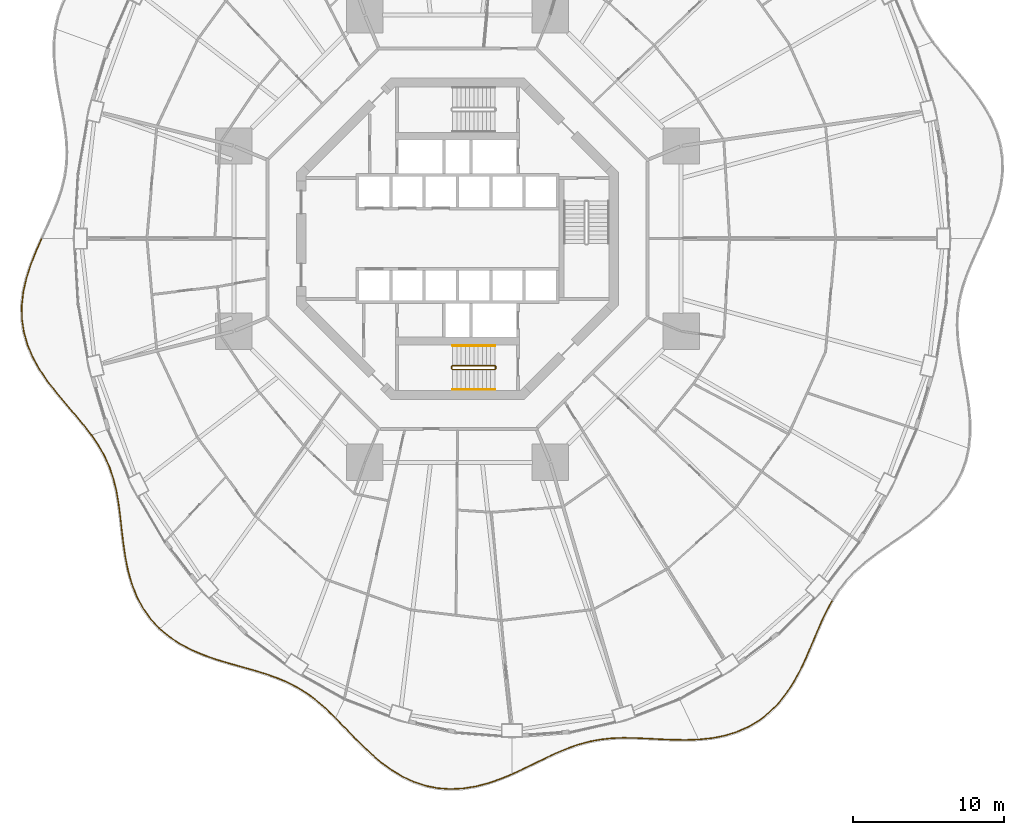
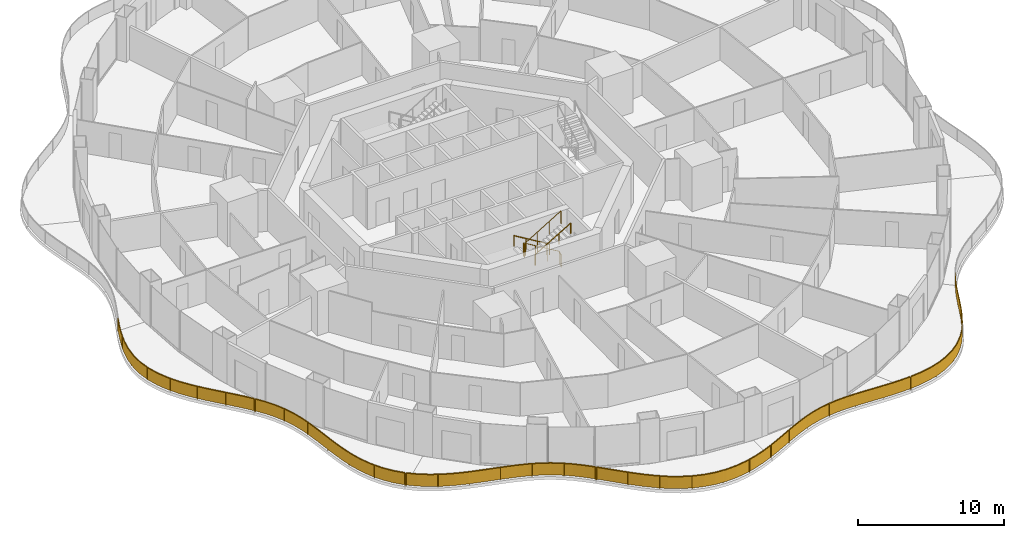
# One storey, part 20 of 22: 9 railings.
"""IFC4 building model written with IfcOpenShell, lengths in metres."""

import ifcopenshell
import ifcopenshell.guid

model = None  # the IFC model being written
_history = None  # IfcOwnerHistory: only IFC2X3 demands one
_inside = {}  # id of a spatial element -> (the spatial element, [elements in it])
_under = {}  # id of a project, library or spatial element -> (it, [spatial elements below it])
_declared = {}  # id of a project -> (the project, [libraries it declares])
_typed = {}  # id of a type object -> (the type object, [elements of that type])
_made_of = {}  # id of a material, layer set ... -> (it, [elements and type objects made of it])


def new_model(schema):
    """Start an empty IFC model of exactly this schema.

    Asked for "IFC4X3", IfcOpenShell would pick the latest addendum, in which some entities
    have other attributes; the version numbers below select the first issue.
    IFC2X3 requires an IfcOwnerHistory on every rooted entity: one is made here for all.
    """
    global model, _history
    if schema == "IFC4X3":
        model = ifcopenshell.file(schema_version=(4, 3, 0, 0))
    else:
        model = ifcopenshell.file(schema=schema)
    _inside.clear()
    _under.clear()
    _declared.clear()
    _typed.clear()
    _made_of.clear()
    _history = None
    if model.schema == "IFC2X3":
        org = make("IfcOrganization", Name="unknown")
        user = make(
            "IfcPersonAndOrganization",
            ThePerson=make("IfcPerson", FamilyName="unknown"),
            TheOrganization=org,
        )
        app = make(
            "IfcApplication",
            ApplicationDeveloper=org,
            Version="unknown",
            ApplicationFullName="unknown",
            ApplicationIdentifier="unknown",
        )
        _history = make(
            "IfcOwnerHistory",
            OwningUser=user,
            OwningApplication=app,
            ChangeAction="ADDED",
            CreationDate=0,
        )
    return model


def make(cls, **values):
    """One entity of the class cls with the attributes given. An attribute that is None is left unset."""
    return model.create_entity(
        cls, **{name: value for name, value in values.items() if value is not None}
    )


def rooted(cls, **values):
    """An entity with a GlobalId (a new one), such as an element, a storey or a relation."""
    return make(cls, GlobalId=ifcopenshell.guid.new(), OwnerHistory=_history, **values)


def si_unit(unit_type, name, prefix=None):
    """IfcSIUnit, for example si_unit("LENGTHUNIT", "METRE", prefix="MILLI")."""
    return make("IfcSIUnit", UnitType=unit_type, Prefix=prefix, Name=name)


def assignment(units):
    """IfcUnitAssignment: the units of a project."""
    return None if units is None else make("IfcUnitAssignment", Units=units)


def point(xyz):
    """IfcCartesianPoint."""
    return None if xyz is None else make("IfcCartesianPoint", Coordinates=xyz)


def direction(xyz):
    """IfcDirection."""
    return None if xyz is None else make("IfcDirection", DirectionRatios=xyz)


def frame(location, z_axis=None, x_axis=None):
    """IfcAxis2Placement3D, a coordinate frame: its origin and axes. An axis left out is left unset."""
    return make(
        "IfcAxis2Placement3D",
        Location=point(location),
        Axis=direction(z_axis),
        RefDirection=direction(x_axis),
    )


def frame_2d(location, x_axis=None):
    """IfcAxis2Placement2D, a coordinate frame in the plane: its origin and x axis."""
    return make(
        "IfcAxis2Placement2D", Location=point(location), RefDirection=direction(x_axis)
    )


def origin():
    """The frame at (0, 0, 0) with its axes left unset."""
    return frame((0.0, 0.0, 0.0))


def origin_2d():
    """The frame at (0, 0) in the plane with its x axis left unset."""
    return frame_2d((0.0, 0.0))


def place(relative_to, where):
    """IfcLocalPlacement: puts the frame where relative to a parent placement (None: the world)."""
    return make(
        "IfcLocalPlacement", PlacementRelTo=relative_to, RelativePlacement=where
    )


def context(
    kind, dimensions, precision=None, world=None, true_north=None, identifier=None
):
    """IfcGeometricRepresentationContext, for example the 3D "Model" context."""
    return make(
        "IfcGeometricRepresentationContext",
        ContextIdentifier=identifier,
        ContextType=kind,
        CoordinateSpaceDimension=dimensions,
        Precision=precision,
        WorldCoordinateSystem=world,
        TrueNorth=true_north,
    )


def subcontext(parent, identifier, kind, view, scale=None):
    """IfcGeometricRepresentationSubContext, for example "Body" below "Model"."""
    return make(
        "IfcGeometricRepresentationSubContext",
        ContextIdentifier=identifier,
        ContextType=kind,
        ParentContext=parent,
        TargetScale=scale,
        TargetView=view,
    )


def project(units=None, contexts=None):
    """IfcProject with its units and contexts."""
    return rooted(
        "IfcProject",
        Name="project",
        RepresentationContexts=contexts,
        UnitsInContext=assignment(units),
    )


def spatial(cls, under=None, at=None, **own):
    """A site, building, storey or space (cls), placed at a placement, below another one or the project."""
    s = rooted(cls, ObjectPlacement=at, **own)
    if under is not None:
        _under.setdefault(under.id(), (under, []))[1].append(s)
    return s


def polyline(points):
    """IfcPolyline through the points."""
    return make("IfcPolyline", Points=[point(p) for p in points])


def profile(cls, at=None, kind="AREA", **sizes):
    """A parametric profile (cls). Its sizes go by their IFC names, for example OverallWidth=200.0."""
    return make(cls, ProfileType=kind, Position=at, **sizes)


def rectangle(**sizes):
    """IfcRectangleProfileDef."""
    return profile("IfcRectangleProfileDef", **sizes)


def circle(**sizes):
    """IfcCircleProfileDef."""
    return profile("IfcCircleProfileDef", **sizes)


def outline(outer, holes=None, kind="AREA"):
    """IfcArbitraryClosedProfileDef: a profile drawn as a closed curve; with holes, ...WithVoids."""
    if holes is None:
        return make("IfcArbitraryClosedProfileDef", ProfileType=kind, OuterCurve=outer)
    return make(
        "IfcArbitraryProfileDefWithVoids",
        ProfileType=kind,
        OuterCurve=outer,
        InnerCurves=holes,
    )


def extrude(swept, where, along, depth):
    """IfcExtrudedAreaSolid: the profile swept, set in the frame where, extruded along a direction by depth."""
    return make(
        "IfcExtrudedAreaSolid",
        SweptArea=swept,
        Position=where,
        ExtrudedDirection=direction(along),
        Depth=depth,
    )


def shape(context_of_items, identifier, shape_type, items):
    """IfcShapeRepresentation: the items that make up one representation, for example the "Body"."""
    return make(
        "IfcShapeRepresentation",
        ContextOfItems=context_of_items,
        RepresentationIdentifier=identifier,
        RepresentationType=shape_type,
        Items=items,
    )


def material(Name=None, Category=None):
    """IfcMaterial."""
    return make("IfcMaterial", Name=Name, Category=Category)


def made_of(thing, what):
    """Note that an element or type object is made of a material, layer set ...; save() writes the relation."""
    if what is not None:
        _made_of.setdefault(what.id(), (what, []))[1].append(thing)
    return thing


def type_object(cls, material=None, **own):
    """A type object (cls), such as IfcWallType, which elements share."""
    return made_of(rooted(cls, **own), material)


def element(
    cls,
    number,
    at=None,
    inside=None,
    cuts=None,
    type_object=None,
    material=None,
    context=None,
    identifier="Body",
    shape_type=None,
    held_by="IfcProductDefinitionShape",
    body=None,
    shapes=None,
    **own,
):
    """One element of the class cls, such as IfcWall. Its Tag is "e" and its number.

    at: its placement. inside: the storey or other place that contains it. cuts: it is an
    opening in that element (IfcRelVoidsElement). A single representation is given by context,
    identifier, shape_type and body (its items); several are given by shapes. held_by: the class
    of the entity that holds the representations. save() writes the other relations.
    """
    e = rooted(cls, Tag="e%d" % number, ObjectPlacement=at, **own)
    if body is not None:
        shapes = [shape(context, identifier, shape_type, body)]
    if shapes is not None:
        e.Representation = make(held_by, Representations=shapes)
    if inside is not None:
        _inside.setdefault(inside.id(), (inside, []))[1].append(e)
    if cuts is not None:
        rooted(
            "IfcRelVoidsElement", RelatingBuildingElement=cuts, RelatedOpeningElement=e
        )
    if type_object is not None:
        _typed.setdefault(type_object.id(), (type_object, []))[1].append(e)
    return made_of(e, material)


def aggregate(whole, parts):
    """IfcRelAggregates: a whole, such as a stair, and the parts it consists of."""
    return rooted("IfcRelAggregates", RelatingObject=whole, RelatedObjects=parts)


def save(model, path):
    """Write the relations noted so far, then the file.

    IfcRelAggregates (storeys below a building ...), IfcRelContainedInSpatialStructure (elements
    in a storey), IfcRelDefinesByType, IfcRelAssociatesMaterial and IfcRelDeclares: one each for
    every whole, place, type object, material and project.
    """
    for whole, parts in _under.values():
        aggregate(whole, parts)
    for where, things in _inside.values():
        rooted(
            "IfcRelContainedInSpatialStructure",
            RelatedElements=things,
            RelatingStructure=where,
        )
    for kind, things in _typed.values():
        rooted("IfcRelDefinesByType", RelatedObjects=things, RelatingType=kind)
    for what, things in _made_of.values():
        rooted("IfcRelAssociatesMaterial", RelatedObjects=things, RelatingMaterial=what)
    for by, libraries in _declared.values():
        rooted("IfcRelDeclares", RelatingContext=by, RelatedDefinitions=libraries)
    model.write(path)


model = new_model("IFC4")

# Units and contexts
model_context = context("Model", 3, precision=1e-05, world=origin(), true_north=direction((0.0, 1.0)))
body_context = subcontext(model_context, "Body", "Model", "MODEL_VIEW")
ifc_project = project(units=[si_unit("LENGTHUNIT", "METRE"), si_unit("AREAUNIT", "SQUARE_METRE"), si_unit("VOLUMEUNIT", "CUBIC_METRE"), si_unit("PLANEANGLEUNIT", "RADIAN"), si_unit("MASSUNIT", "GRAM", prefix="KILO")], contexts=[model_context])

# Site, building, storey
site_placement = place(None, origin())
site = spatial("IfcSite", under=ifc_project, at=site_placement, CompositionType="ELEMENT")
building_placement = place(site_placement, origin())
building = spatial("IfcBuilding", under=site, at=building_placement, Name="Nagisa Residences", CompositionType="ELEMENT")
storey_placement = place(building_placement, frame((0.0, 0.0, 49.199951171875)))
storey = spatial("IfcBuildingStorey", under=building, at=storey_placement, Name="L11", CompositionType="ELEMENT", Elevation=49.199951171875)

# Railings
ifc_material_1 = material(Name="Stainless steel 316", Category="steel")
railing_type_1 = type_object("IfcRailingType", Name="BALCONY GUARD 1100", PredefinedType="BALUSTRADE", material=ifc_material_1)
railing_1_placement = place(storey_placement, frame((-27.4892578125, -0.03466796875, 0.0)))
element("IfcRailing", 1, at=railing_1_placement, inside=storey, type_object=railing_type_1, Name="guard:L11:bal08-0", PredefinedType="BALUSTRADE", context=body_context, shape_type="SweptSolid", body=[
    extrude(outline(polyline([(-0.33984375, -0.828857421875), (0.02294921875, -0.01025390625), (-0.02294921875, 0.01025390625), (-0.38623046875, -0.809326171875), (-0.731201171875, -1.68701171875), (-1.0166015625, -2.57763671875), (-1.2197265625, -3.4765625), (-1.32275390625, -4.37744140625), (-1.314208984375, -5.259033203125), (-1.185546875, -6.1416015625), (-0.939697265625, -7.003662109375), (-0.58447265625, -7.840087890625), (-0.13427734375, -8.647216796875), (0.387939453125, -9.41015625), (0.965087890625, -10.157470703125), (1.569091796875, -10.88037109375), (2.173828125, -11.584716796875), (2.755126953125, -12.279541015625), (3.267578125, -12.940185546875), (3.30712890625, -12.909423828125), (2.794189453125, -12.248291015625), (2.2119140625, -11.552490234375), (1.607177734375, -10.84814453125), (1.004150390625, -10.126220703125), (0.428466796875, -9.380859375), (-0.091796875, -8.620849609375), (-0.53955078125, -7.818115234375), (-0.892333984375, -6.987060546875), (-1.13671875, -6.130859375), (-1.264404296875, -5.255126953125), (-1.2724609375, -4.3798828125), (-1.17041015625, -3.48486328125), (-0.96826171875, -2.5908203125), (-0.683837890625, -1.70361328125), (-0.33984375, -0.828857421875)])), frame((0.0, 0.0, 1.050048828125)), (0.0, 0.0, 1.0), 0.050048828125),
    extrude(outline(polyline([(-0.356689453125, -0.82177734375), (0.00634765625, -0.0029296875), (-0.00634765625, 0.0029296875), (-0.369384765625, -0.81640625), (-0.714111328125, -1.69287109375), (-0.999267578125, -2.582275390625), (-1.201904296875, -3.4794921875), (-1.3046875, -4.37841796875), (-1.29638671875, -5.257568359375), (-1.16796875, -6.1376953125), (-0.922607421875, -6.997802734375), (-0.568359375, -7.832275390625), (-0.118896484375, -8.6376953125), (0.402587890625, -9.399658203125), (0.979248046875, -10.146240234375), (1.582763671875, -10.868896484375), (2.1875, -11.5732421875), (2.769287109375, -12.268310546875), (3.28173828125, -12.92919921875), (3.29296875, -12.92041015625), (2.780029296875, -12.259521484375), (2.1982421875, -11.56396484375), (1.593505859375, -10.859619140625), (0.989990234375, -10.137451171875), (0.413818359375, -9.391357421875), (-0.107177734375, -8.63037109375), (-0.5556640625, -7.825927734375), (-0.909423828125, -6.992919921875), (-1.154296875, -6.134765625), (-1.2822265625, -5.256591796875), (-1.29052734375, -4.37890625), (-1.188232421875, -3.48193359375), (-0.985595703125, -2.586181640625), (-0.700927734375, -1.69775390625), (-0.356689453125, -0.82177734375)])), frame((0.0, 0.0, 0.06005859375)), (0.0, 0.0, 1.0), 0.989990234375),
    extrude(rectangle(XDim=0.0400390625, YDim=0.0400390625, at=origin_2d()), origin(), (0.0, 0.0, 1.0), 1.050048828125),
    extrude(rectangle(XDim=0.0400390625, YDim=0.0400390625, at=origin_2d()), frame((-0.781494140625, -1.92626953125, 0.0)), (0.0, 0.0, 1.0), 1.050048828125),
    extrude(rectangle(XDim=0.0400390625, YDim=0.0400390625, at=origin_2d()), frame((-1.248291015625, -3.94775390625, 0.0)), (0.0, 0.0, 1.0), 1.050048828125),
    extrude(rectangle(XDim=0.0400390625, YDim=0.0400390625, at=origin_2d()), frame((-1.178466796875, -6.016845703125, 0.0)), (0.0, 0.0, 1.0), 1.050048828125),
    extrude(rectangle(XDim=0.0400390625, YDim=0.0400390625, at=origin_2d()), frame((-0.48388671875, -7.968994140625, 0.0)), (0.0, 0.0, 1.0), 1.050048828125),
    extrude(rectangle(XDim=0.0400390625, YDim=0.0400390625, at=origin_2d()), frame((0.650146484375, -9.708740234375, 0.0)), (0.0, 0.0, 1.0), 1.050048828125),
    extrude(rectangle(XDim=0.0400390625, YDim=0.0400390625, at=origin_2d()), frame((1.973388671875, -11.31298828125, 0.0)), (0.0, 0.0, 1.0), 1.050048828125),
    extrude(rectangle(XDim=0.0400390625, YDim=0.0400390625, at=origin_2d()), frame((3.287353515625, -12.9248046875, 0.0)), (0.0, 0.0, 1.0), 1.050048828125),
])
railing_2_placement = place(storey_placement, frame((-24.15771484375, -13.016845703125, 0.0)))
element("IfcRailing", 2, at=railing_2_placement, inside=storey, type_object=railing_type_1, Name="guard:L11:bal09-0", PredefinedType="BALUSTRADE", context=body_context, shape_type="SweptSolid", body=[
    extrude(outline(polyline([(0.461669921875, -0.63525390625), (0.020751953125, 0.01416015625), (-0.020751953125, -0.01416015625), (0.419189453125, -0.66162109375), (0.8154296875, -1.36279296875), (1.1416015625, -2.09033203125), (1.39892578125, -2.8505859375), (1.5947265625, -3.645751953125), (1.734375, -4.4638671875), (1.84765625, -5.32763671875), (1.947509765625, -6.2177734375), (2.054443359375, -7.1240234375), (2.18994140625, -8.0341796875), (2.364990234375, -8.922607421875), (2.6142578125, -9.798583984375), (2.942138671875, -10.635009765625), (3.358154296875, -11.41796875), (3.865966796875, -12.13623046875), (4.431640625, -12.745361328125), (4.46826171875, -12.711181640625), (3.905029296875, -12.1044921875), (3.400634765625, -11.3916015625), (2.987548828125, -10.614013671875), (2.66162109375, -9.782470703125), (2.413818359375, -8.910888671875), (2.2392578125, -8.02587890625), (2.104248046875, -7.1171875), (1.997314453125, -6.2119140625), (1.8974609375, -5.32177734375), (1.78369140625, -4.45654296875), (1.6435546875, -3.635498046875), (1.44677734375, -2.83642578125), (1.1884765625, -2.072265625), (0.8603515625, -1.34033203125), (0.461669921875, -0.63525390625)])), frame((0.0, 0.0, 1.050048828125)), (0.0, 0.0, 1.0), 0.050048828125),
    extrude(outline(polyline([(0.4462890625, -0.644775390625), (0.005859375, 0.00390625), (-0.005859375, -0.00390625), (0.4345703125, -0.652099609375), (0.83154296875, -1.354736328125), (1.158447265625, -2.083740234375), (1.416015625, -2.845458984375), (1.6123046875, -3.64208984375), (1.752197265625, -4.461181640625), (1.86572265625, -5.325439453125), (1.965576171875, -6.215576171875), (2.072509765625, -7.12158203125), (2.207763671875, -8.03125), (2.382568359375, -8.91845703125), (2.63134765625, -9.792724609375), (2.95849609375, -10.62744140625), (3.37353515625, -11.408447265625), (3.880126953125, -12.124755859375), (4.44482421875, -12.733154296875), (4.455078125, -12.723388671875), (3.890869140625, -12.115966796875), (3.38525390625, -11.401123046875), (2.97119140625, -10.62158203125), (2.64453125, -9.788330078125), (2.396240234375, -8.9150390625), (2.221435546875, -8.02880859375), (2.086181640625, -7.11962890625), (1.979248046875, -6.214111328125), (1.87939453125, -5.323974609375), (1.765869140625, -4.459228515625), (1.6259765625, -3.63916015625), (1.4296875, -2.841552734375), (1.171630859375, -2.078857421875), (0.84423828125, -1.348388671875), (0.4462890625, -0.644775390625)])), frame((0.0, 0.0, 0.06005859375)), (0.0, 0.0, 1.0), 0.989990234375),
    extrude(rectangle(XDim=0.0400390625, YDim=0.0400390625, at=origin_2d()), origin(), (0.0, 0.0, 1.0), 1.050048828125),
    extrude(rectangle(XDim=0.0400390625, YDim=0.0400390625, at=origin_2d()), frame((1.1240234375, -1.98974609375, 0.0)), (0.0, 0.0, 1.0), 1.050048828125),
    extrude(rectangle(XDim=0.0400390625, YDim=0.0400390625, at=origin_2d()), frame((1.714111328125, -4.197509765625, 0.0)), (0.0, 0.0, 1.0), 1.050048828125),
    extrude(rectangle(XDim=0.0400390625, YDim=0.0400390625, at=origin_2d()), frame((2.00244140625, -6.4697265625, 0.0)), (0.0, 0.0, 1.0), 1.050048828125),
    extrude(rectangle(XDim=0.0400390625, YDim=0.0400390625, at=origin_2d()), frame((2.35302734375, -8.732421875, 0.0)), (0.0, 0.0, 1.0), 1.050048828125),
    extrude(rectangle(XDim=0.0400390625, YDim=0.0400390625, at=origin_2d()), frame((3.10498046875, -10.888427734375, 0.0)), (0.0, 0.0, 1.0), 1.050048828125),
    extrude(rectangle(XDim=0.0400390625, YDim=0.0400390625, at=origin_2d()), frame((4.449951171875, -12.728271484375, 0.0)), (0.0, 0.0, 1.0), 1.050048828125),
])
railing_3_placement = place(storey_placement, frame((-19.651611328125, -25.798095703125, 0.0)))
element("IfcRailing", 3, at=railing_3_placement, inside=storey, type_object=railing_type_1, Name="guard:L11:bal10-0", PredefinedType="BALUSTRADE", context=body_context, shape_type="SweptSolid", body=[
    extrude(outline(polyline([(0.62548828125, -0.48974609375), (0.01611328125, 0.019287109375), (-0.01611328125, -0.019287109375), (0.595703125, -0.52978515625), (1.310302734375, -1.000732421875), (2.079345703125, -1.404296875), (2.88818359375, -1.74755859375), (3.7216796875, -2.041259765625), (4.552490234375, -2.28759765625), (5.389404296875, -2.52392578125), (6.20849609375, -2.755126953125), (6.99951171875, -2.99755859375), (7.755615234375, -3.266357421875), (8.459228515625, -3.56494140625), (9.138427734375, -3.921875), (9.783203125, -4.333984375), (10.39990234375, -4.802978515625), (10.996826171875, -5.326416015625), (11.551513671875, -5.866943359375), (11.586669921875, -5.831298828125), (11.031005859375, -5.289794921875), (10.431640625, -4.764404296875), (9.81201171875, -4.29296875), (9.163818359375, -3.87841796875), (8.480712890625, -3.51953125), (7.773681640625, -3.219482421875), (7.01513671875, -2.9501953125), (6.22265625, -2.707275390625), (5.403076171875, -2.4755859375), (4.566162109375, -2.23974609375), (3.7373046875, -1.993408203125), (2.90625, -1.70068359375), (2.100830078125, -1.35888671875), (1.335693359375, -0.957763671875), (0.62548828125, -0.48974609375)])), frame((0.0, 0.0, 1.050048828125)), (0.0, 0.0, 1.0), 0.050048828125),
    extrude(outline(polyline([(0.61474609375, -0.504150390625), (0.00439453125, 0.00537109375), (-0.00439453125, -0.00537109375), (0.6064453125, -0.515380859375), (1.3193359375, -0.9853515625), (2.087158203125, -1.387939453125), (2.894775390625, -1.730712890625), (3.727294921875, -2.02392578125), (4.557373046875, -2.2705078125), (5.394287109375, -2.506591796875), (6.213623046875, -2.738037109375), (7.005126953125, -2.98046875), (7.76220703125, -3.24951171875), (8.467041015625, -3.548583984375), (9.147705078125, -3.90625), (9.793701171875, -4.3193359375), (10.411376953125, -4.7890625), (11.00927734375, -5.313232421875), (11.564208984375, -5.854248046875), (11.573974609375, -5.843994140625), (11.0185546875, -5.302978515625), (10.420166015625, -4.7783203125), (9.801513671875, -4.3076171875), (9.154541015625, -3.89404296875), (8.472900390625, -3.535888671875), (7.76708984375, -3.236328125), (7.009521484375, -2.96728515625), (6.217529296875, -2.724365234375), (5.398193359375, -2.492919921875), (4.561279296875, -2.2568359375), (3.731689453125, -2.0107421875), (2.899658203125, -1.717529296875), (2.093017578125, -1.375244140625), (1.32666015625, -0.97314453125), (0.61474609375, -0.504150390625)])), frame((0.0, 0.0, 0.06005859375)), (0.0, 0.0, 1.0), 0.989990234375),
    extrude(rectangle(XDim=0.0400390625, YDim=0.0400390625, at=origin_2d()), origin(), (0.0, 0.0, 1.0), 1.050048828125),
    extrude(rectangle(XDim=0.0400390625, YDim=0.0400390625, at=origin_2d()), frame((1.802734375, -1.23095703125, 0.0)), (0.0, 0.0, 1.0), 1.050048828125),
    extrude(rectangle(XDim=0.0400390625, YDim=0.0400390625, at=origin_2d()), frame((3.83203125, -2.0478515625, 0.0)), (0.0, 0.0, 1.0), 1.050048828125),
    extrude(rectangle(XDim=0.0400390625, YDim=0.0400390625, at=origin_2d()), frame((5.937255859375, -2.652587890625, 0.0)), (0.0, 0.0, 1.0), 1.050048828125),
    extrude(rectangle(XDim=0.0400390625, YDim=0.0400390625, at=origin_2d()), frame((8.0126953125, -3.34814453125, 0.0)), (0.0, 0.0, 1.0), 1.050048828125),
    extrude(rectangle(XDim=0.0400390625, YDim=0.0400390625, at=origin_2d()), frame((9.92236328125, -4.408447265625, 0.0)), (0.0, 0.0, 1.0), 1.050048828125),
    extrude(rectangle(XDim=0.0400390625, YDim=0.0400390625, at=origin_2d()), frame((11.569091796875, -5.84912109375, 0.0)), (0.0, 0.0, 1.0), 1.050048828125),
])
railing_4_placement = place(storey_placement, frame((-8.031494140625, -31.700927734375, 0.0)))
element("IfcRailing", 4, at=railing_4_placement, inside=storey, type_object=railing_type_1, Name="guard:L11:bal11-0", PredefinedType="BALUSTRADE", context=body_context, shape_type="SweptSolid", body=[
    extrude(outline(polyline([(0.552978515625, -0.53564453125), (0.01806640625, 0.017333984375), (-0.01806640625, -0.017333984375), (0.516845703125, -0.5703125), (1.095458984375, -1.172607421875), (1.693115234375, -1.77734375), (2.3173828125, -2.366943359375), (2.972900390625, -2.923095703125), (3.646484375, -3.42236328125), (4.3720703125, -3.85888671875), (5.130615234375, -4.212646484375), (5.91845703125, -4.47412109375), (6.729248046875, -4.63623046875), (7.539794921875, -4.694091796875), (8.37353515625, -4.6552734375), (9.208740234375, -4.52490234375), (10.036865234375, -4.3134765625), (10.852294921875, -4.035888671875), (11.605712890625, -3.72412109375), (11.586669921875, -3.677734375), (10.834716796875, -3.989013671875), (10.022705078125, -4.265625), (9.198486328125, -4.4755859375), (8.36865234375, -4.60546875), (7.540283203125, -4.643798828125), (6.736083984375, -4.58642578125), (5.93115234375, -4.42578125), (5.149169921875, -4.166259765625), (4.3955078125, -3.814453125), (3.67431640625, -3.380859375), (3.004150390625, -2.884033203125), (2.3505859375, -2.329833984375), (1.728271484375, -1.74169921875), (1.131103515625, -1.137451171875), (0.552978515625, -0.53564453125)])), frame((0.0, 0.0, 1.050048828125)), (0.0, 0.0, 1.0), 0.050048828125),
    extrude(outline(polyline([(0.5400390625, -0.548095703125), (0.005126953125, 0.0048828125), (-0.005126953125, -0.0048828125), (0.52978515625, -0.557861328125), (1.108154296875, -1.159912109375), (1.705810546875, -1.7646484375), (2.329345703125, -2.353515625), (2.984130859375, -2.908935546875), (3.656494140625, -3.407470703125), (4.380615234375, -3.8427734375), (5.13720703125, -4.196044921875), (5.923095703125, -4.456787109375), (6.731689453125, -4.6181640625), (7.5400390625, -4.676025390625), (8.371826171875, -4.637451171875), (9.205078125, -4.507080078125), (10.03173828125, -4.29638671875), (10.845947265625, -4.01904296875), (11.598876953125, -3.707275390625), (11.593505859375, -3.694580078125), (10.841064453125, -4.005859375), (10.02783203125, -4.28271484375), (9.2021484375, -4.493408203125), (8.370361328125, -4.623291015625), (7.5400390625, -4.661865234375), (6.733642578125, -4.6044921875), (5.926513671875, -4.443115234375), (5.142578125, -4.182861328125), (4.386962890625, -3.83056640625), (3.664306640625, -3.395751953125), (2.992919921875, -2.898193359375), (2.338623046875, -2.34326171875), (1.715576171875, -1.75439453125), (1.118408203125, -1.150146484375), (0.5400390625, -0.548095703125)])), frame((0.0, 0.0, 0.06005859375)), (0.0, 0.0, 1.0), 0.989990234375),
    extrude(rectangle(XDim=0.0400390625, YDim=0.0400390625, at=origin_2d()), origin(), (0.0, 0.0, 1.0), 1.050048828125),
    extrude(rectangle(XDim=0.0400390625, YDim=0.0400390625, at=origin_2d()), frame((1.54931640625, -1.59619140625, 0.0)), (0.0, 0.0, 1.0), 1.050048828125),
    extrude(rectangle(XDim=0.0400390625, YDim=0.0400390625, at=origin_2d()), frame((3.212646484375, -3.069580078125, 0.0)), (0.0, 0.0, 1.0), 1.050048828125),
    extrude(rectangle(XDim=0.0400390625, YDim=0.0400390625, at=origin_2d()), frame((5.12939453125, -4.1845703125, 0.0)), (0.0, 0.0, 1.0), 1.050048828125),
    extrude(rectangle(XDim=0.0400390625, YDim=0.0400390625, at=origin_2d()), frame((7.293212890625, -4.6513671875, 0.0)), (0.0, 0.0, 1.0), 1.050048828125),
    extrude(rectangle(XDim=0.0400390625, YDim=0.0400390625, at=origin_2d()), frame((9.49658203125, -4.425537109375, 0.0)), (0.0, 0.0, 1.0), 1.050048828125),
    extrude(rectangle(XDim=0.0400390625, YDim=0.0400390625, at=origin_2d()), frame((11.59619140625, -3.700927734375, 0.0)), (0.0, 0.0, 1.0), 1.050048828125),
])
railing_5_placement = place(storey_placement, frame((3.634521484375, -35.3701171875, 0.0)))
element("IfcRailing", 5, at=railing_5_placement, inside=storey, type_object=railing_type_1, Name="guard:L11:bal12-0", PredefinedType="BALUSTRADE", context=body_context, shape_type="SweptSolid", body=[
    extrude(outline(polyline([(0.723388671875, 0.3623046875), (-0.010498046875, 0.022705078125), (0.010498046875, -0.022705078125), (0.744873046875, 0.31689453125), (1.50341796875, 0.685302734375), (2.243408203125, 1.045654296875), (2.968994140625, 1.382080078125), (3.685302734375, 1.6796875), (4.380615234375, 1.92529296875), (5.09716796875, 2.1181640625), (5.823974609375, 2.252685546875), (6.566650390625, 2.331787109375), (7.330078125, 2.361328125), (8.099853515625, 2.347412109375), (8.90966796875, 2.31298828125), (9.740234375, 2.26904296875), (10.58740234375, 2.23291015625), (11.4443359375, 2.2216796875), (12.254638671875, 2.248779296875), (12.253173828125, 2.298583984375), (11.44384765625, 2.27197265625), (10.5888671875, 2.28271484375), (9.74267578125, 2.31884765625), (8.912109375, 2.36279296875), (8.101318359375, 2.397216796875), (7.32958984375, 2.41162109375), (6.563232421875, 2.381591796875), (5.816650390625, 2.302490234375), (5.0859375, 2.1669921875), (4.365966796875, 1.97314453125), (3.667236328125, 1.7265625), (2.948974609375, 1.427978515625), (2.221923828125, 1.091064453125), (1.4814453125, 0.730224609375), (0.723388671875, 0.3623046875)])), frame((0.0, 0.0, 1.050048828125)), (0.0, 0.0, 1.0), 0.050048828125),
    extrude(outline(polyline([(0.731201171875, 0.345947265625), (-0.0029296875, 0.00634765625), (0.0029296875, -0.00634765625), (0.737060546875, 0.333251953125), (1.49560546875, 0.701416015625), (2.235595703125, 1.06201171875), (2.9619140625, 1.398681640625), (3.6787109375, 1.696533203125), (4.37548828125, 1.942626953125), (5.093017578125, 2.1357421875), (5.8212890625, 2.270751953125), (6.5654296875, 2.349609375), (7.329833984375, 2.37939453125), (8.100341796875, 2.365234375), (8.91064453125, 2.330810546875), (9.7412109375, 2.286865234375), (10.587890625, 2.250732421875), (11.444091796875, 2.23974609375), (12.254150390625, 2.2666015625), (12.253662109375, 2.28076171875), (11.444091796875, 2.25390625), (10.58837890625, 2.264892578125), (9.74169921875, 2.301025390625), (8.9111328125, 2.344970703125), (8.100830078125, 2.37939453125), (7.329833984375, 2.3935546875), (6.564453125, 2.36376953125), (5.8193359375, 2.284423828125), (5.090087890625, 2.1494140625), (4.37109375, 1.955810546875), (3.673828125, 1.709716796875), (2.9560546875, 1.411376953125), (2.229736328125, 1.07470703125), (1.4892578125, 0.714111328125), (0.731201171875, 0.345947265625)])), frame((0.0, 0.0, 0.06005859375)), (0.0, 0.0, 1.0), 0.989990234375),
    extrude(rectangle(XDim=0.0400390625, YDim=0.0400390625, at=origin_2d()), origin(), (0.0, 0.0, 1.0), 1.050048828125),
    extrude(rectangle(XDim=0.0400390625, YDim=0.0400390625, at=origin_2d()), frame((1.9130859375, 0.91259765625, 0.0)), (0.0, 0.0, 1.0), 1.050048828125),
    extrude(rectangle(XDim=0.0400390625, YDim=0.0400390625, at=origin_2d()), frame((3.8525390625, 1.765380859375, 0.0)), (0.0, 0.0, 1.0), 1.050048828125),
    extrude(rectangle(XDim=0.0400390625, YDim=0.0400390625, at=origin_2d()), frame((5.90234375, 2.286376953125, 0.0)), (0.0, 0.0, 1.0), 1.050048828125),
    extrude(rectangle(XDim=0.0400390625, YDim=0.0400390625, at=origin_2d()), frame((8.017578125, 2.373779296875, 0.0)), (0.0, 0.0, 1.0), 1.050048828125),
    extrude(rectangle(XDim=0.0400390625, YDim=0.0400390625, at=origin_2d()), frame((10.135009765625, 2.277099609375, 0.0)), (0.0, 0.0, 1.0), 1.050048828125),
    extrude(rectangle(XDim=0.0400390625, YDim=0.0400390625, at=origin_2d()), frame((12.25390625, 2.273681640625, 0.0)), (0.0, 0.0, 1.0), 1.050048828125),
])
railing_6_placement = place(storey_placement, frame((15.96533203125, -33.09228515625, 0.0)))
element("IfcRailing", 6, at=railing_6_placement, inside=storey, type_object=railing_type_1, Name="guard:L11:bal13-0", PredefinedType="BALUSTRADE", context=body_context, shape_type="SweptSolid", body=[
    extrude(outline(polyline([(0.82861328125, 0.110107421875), (-0.00244140625, 0.02490234375), (0.00244140625, -0.02490234375), (0.8359375, 0.060791015625), (1.694580078125, 0.22900390625), (2.519287109375, 0.483642578125), (3.29931640625, 0.829833984375), (4.024169921875, 1.267822265625), (4.67724609375, 1.7880859375), (5.278076171875, 2.398193359375), (5.814453125, 3.078369140625), (6.290283203125, 3.814697265625), (6.712890625, 4.590576171875), (7.07958984375, 5.37841796875), (7.428466796875, 6.1826171875), (7.76171875, 6.97705078125), (8.09423828125, 7.748046875), (8.441650390625, 8.48486328125), (8.79638671875, 9.143310546875), (8.75244140625, 9.167236328125), (8.396728515625, 8.50732421875), (8.048828125, 7.7685546875), (7.7158203125, 6.99658203125), (7.382568359375, 6.2021484375), (7.0341796875, 5.39892578125), (6.66796875, 4.613037109375), (6.247314453125, 3.840087890625), (5.77392578125, 3.107666015625), (5.240478515625, 2.431396484375), (4.6435546875, 1.8251953125), (3.995361328125, 1.308837890625), (3.2763671875, 0.874267578125), (2.501708984375, 0.530517578125), (1.682373046875, 0.27783203125), (0.82861328125, 0.110107421875)])), frame((0.0, 0.0, 1.050048828125)), (0.0, 0.0, 1.0), 0.050048828125),
    extrude(outline(polyline([(0.831298828125, 0.09228515625), (-0.000732421875, 0.007080078125), (0.000732421875, -0.007080078125), (0.833251953125, 0.07861328125), (1.690185546875, 0.24658203125), (2.512939453125, 0.50048828125), (3.291015625, 0.845947265625), (4.013671875, 1.282470703125), (4.6650390625, 1.801513671875), (5.2646484375, 2.41015625), (5.7998046875, 3.0888671875), (6.27490234375, 3.82373046875), (6.69677734375, 4.5986328125), (7.063232421875, 5.3857421875), (7.411865234375, 6.189697265625), (7.7451171875, 6.984130859375), (8.077880859375, 7.75537109375), (8.425537109375, 8.492919921875), (8.780517578125, 9.15185546875), (8.768310546875, 9.15869140625), (8.412841796875, 8.499267578125), (8.065185546875, 7.76123046875), (7.732421875, 6.989501953125), (7.399169921875, 6.195068359375), (7.050537109375, 5.3916015625), (6.68408203125, 4.60498046875), (6.2626953125, 3.8310546875), (5.78857421875, 3.09716796875), (5.25390625, 2.41943359375), (4.65576171875, 1.811767578125), (4.005859375, 1.294189453125), (3.28466796875, 0.858154296875), (2.508056640625, 0.513671875), (1.686767578125, 0.26025390625), (0.831298828125, 0.09228515625)])), frame((0.0, 0.0, 0.06005859375)), (0.0, 0.0, 1.0), 0.989990234375),
    extrude(rectangle(XDim=0.0400390625, YDim=0.0400390625, at=origin_2d()), origin(), (0.0, 0.0, 1.0), 1.050048828125),
    extrude(rectangle(XDim=0.0400390625, YDim=0.0400390625, at=origin_2d()), frame((2.2177734375, 0.416748046875, 0.0)), (0.0, 0.0, 1.0), 1.050048828125),
    extrude(rectangle(XDim=0.0400390625, YDim=0.0400390625, at=origin_2d()), frame((4.21533203125, 1.4521484375, 0.0)), (0.0, 0.0, 1.0), 1.050048828125),
    extrude(rectangle(XDim=0.0400390625, YDim=0.0400390625, at=origin_2d()), frame((5.77978515625, 3.074951171875, 0.0)), (0.0, 0.0, 1.0), 1.050048828125),
    extrude(rectangle(XDim=0.0400390625, YDim=0.0400390625, at=origin_2d()), frame((6.894775390625, 5.04052734375, 0.0)), (0.0, 0.0, 1.0), 1.050048828125),
    extrude(rectangle(XDim=0.0400390625, YDim=0.0400390625, at=origin_2d()), frame((7.794677734375, 7.11669921875, 0.0)), (0.0, 0.0, 1.0), 1.050048828125),
    extrude(rectangle(XDim=0.0400390625, YDim=0.0400390625, at=origin_2d()), frame((8.7744140625, 9.1552734375, 0.0)), (0.0, 0.0, 1.0), 1.050048828125),
])
ifc_material_2 = material(Name="Stainless steel", Category="steel")
railing_type_2 = type_object("IfcRailingType", Name="Stair guard 1100", PredefinedType="GUARDRAIL", material=ifc_material_2)
railing_7_placement = place(storey_placement, frame((2.52490234375, -8.599609375, 0.0)))
element("IfcRailing", 7, at=railing_7_placement, inside=storey, type_object=railing_type_2, Name="L11 ST-S stair guard 1", PredefinedType="GUARDRAIL", context=body_context, shape_type="SweptSolid", body=[
    extrude(circle(Radius=0.02392578125, at=origin_2d()), frame((0.0, 0.0, 1.076171875), z_axis=(0.0, 1.0, 0.0), x_axis=(-1.0, 0.0, 0.0)), (0.0, 0.0, 1.0), 0.14990234375),
    extrude(circle(Radius=0.02392578125, at=origin_2d()), frame((0.0, 0.14990234375, 1.076171875), z_axis=(-0.273006030465, 0.27434429532, 0.922064485248), x_axis=(-0.708833529934, -0.705375805398, 0.0)), (0.0, 0.0, 1.0), 0.182373046875),
    extrude(circle(Radius=0.02392578125, at=origin_2d()), frame((-0.0498046875, 0.199951171875, 1.244140625), z_axis=(-0.857242210791, 0.0, 0.514913383045), x_axis=(0.0, -1.0, 0.0)), (0.0, 0.0, 1.0), 3.266357421875),
    extrude(circle(Radius=0.02392578125, at=origin_2d()), frame((-2.849853515625, 0.199951171875, 2.92626953125), z_axis=(-0.707106781187, -0.707106781187, 0.0), x_axis=(0.707106781187, -0.707106781187, 0.0)), (0.0, 0.0, 1.0), 0.07080078125),
    extrude(circle(Radius=0.02392578125, at=origin_2d()), frame((-2.89990234375, 0.14990234375, 2.92626953125), z_axis=(0.0, -1.0, 0.0), x_axis=(1.0, 0.0, 0.0)), (0.0, 0.0, 1.0), 0.14990234375),
    extrude(circle(Radius=0.02392578125, at=origin_2d()), frame((-2.89990234375, 0.0, 2.92626953125), z_axis=(0.274243871929, -0.274243871929, 0.92172696468), x_axis=(0.707106781187, 0.707106781187, 0.0)), (0.0, 0.0, 1.0), 0.1826171875),
    extrude(circle(Radius=0.02392578125, at=origin_2d()), frame((-2.849853515625, -0.050048828125, 3.09423828125), z_axis=(0.857275202839, 0.0, 0.514858452973), x_axis=(0.0, 1.0, 0.0)), (0.0, 0.0, 1.0), 3.26611328125),
    extrude(circle(Radius=0.02099609375, at=origin_2d()), origin(), (0.0, 0.0, 1.0), 1.052001953125),
    extrude(circle(Radius=0.02099609375, at=origin_2d()), frame((0.0, 0.14990234375, 0.0)), (0.0, 0.0, 1.0), 1.052001953125),
    extrude(circle(Radius=0.02099609375, at=origin_2d()), frame((-0.0498046875, 0.199951171875, 0.168212890625)), (0.0, 0.0, 1.0), 1.052001953125),
    extrude(circle(Radius=0.02099609375, at=origin_2d()), frame((-0.983154296875, 0.199951171875, 0.728759765625)), (0.0, 0.0, 1.0), 1.052001953125),
    extrude(circle(Radius=0.02099609375, at=origin_2d()), frame((-1.91650390625, 0.199951171875, 1.28955078125)), (0.0, 0.0, 1.0), 1.052001953125),
    extrude(circle(Radius=0.02099609375, at=origin_2d()), frame((-2.849853515625, 0.199951171875, 1.85009765625)), (0.0, 0.0, 1.0), 1.052001953125),
    extrude(circle(Radius=0.02099609375, at=origin_2d()), frame((-2.89990234375, 0.14990234375, 1.85009765625)), (0.0, 0.0, 1.0), 1.052001953125),
    extrude(circle(Radius=0.02099609375, at=origin_2d()), frame((-2.89990234375, 0.0, 1.85009765625)), (0.0, 0.0, 1.0), 1.052001953125),
    extrude(circle(Radius=0.02099609375, at=origin_2d()), frame((-2.849853515625, -0.050048828125, 2.018310546875)), (0.0, 0.0, 1.0), 1.052001953125),
    extrude(circle(Radius=0.02099609375, at=origin_2d()), frame((-1.91650390625, -0.050048828125, 2.578857421875)), (0.0, 0.0, 1.0), 1.052001953125),
    extrude(circle(Radius=0.02099609375, at=origin_2d()), frame((-0.983154296875, -0.050048828125, 3.139404296875)), (0.0, 0.0, 1.0), 1.052001953125),
    extrude(circle(Radius=0.02099609375, at=origin_2d()), frame((-0.0498046875, -0.050048828125, 3.699951171875)), (0.0, 0.0, 1.0), 1.052001953125),
])
ifc_material_3 = material(Name="Stainless steel", Category="steel")
railing_type_3 = type_object("IfcRailingType", Name="Stair handrail 900", PredefinedType="HANDRAIL", material=ifc_material_3)
railing_8_placement = place(storey_placement, frame((2.47509765625, -7.07470703125, 0.168212890625)))
element("IfcRailing", 8, at=railing_8_placement, inside=storey, type_object=railing_type_3, Name="L11 ST-S stair handrail 1", PredefinedType="HANDRAIL", context=body_context, shape_type="SweptSolid", body=[
    extrude(circle(Radius=0.02392578125, at=origin_2d()), frame((0.0, 0.0, 0.8759765625), z_axis=(-0.857242210791, 0.0, 0.514913383045), x_axis=(0.0, -1.0, 0.0)), (0.0, 0.0, 1.0), 3.266357421875),
    extrude(circle(Radius=0.02099609375, at=origin_2d()), origin(), (0.0, 0.0, 1.0), 0.851806640625),
    extrude(circle(Radius=0.02099609375, at=origin_2d()), frame((-0.933349609375, 0.0, 0.560546875)), (0.0, 0.0, 1.0), 0.851806640625),
    extrude(circle(Radius=0.02099609375, at=origin_2d()), frame((-1.86669921875, 0.0, 1.121337890625)), (0.0, 0.0, 1.0), 0.851806640625),
    extrude(circle(Radius=0.02099609375, at=origin_2d()), frame((-2.800048828125, 0.0, 1.681884765625)), (0.0, 0.0, 1.0), 0.851806640625),
])
railing_9_placement = place(storey_placement, frame((-0.324951171875, -9.974609375, 2.018310546875)))
element("IfcRailing", 9, at=railing_9_placement, inside=storey, type_object=railing_type_3, Name="L11 ST-S stair handrail 2", PredefinedType="HANDRAIL", context=body_context, shape_type="SweptSolid", body=[
    extrude(circle(Radius=0.02392578125, at=origin_2d()), frame((0.0, 0.0, 0.8759765625), z_axis=(0.857275202839, 0.0, 0.514858452973), x_axis=(0.0, 1.0, 0.0)), (0.0, 0.0, 1.0), 3.26611328125),
    extrude(circle(Radius=0.02099609375, at=origin_2d()), origin(), (0.0, 0.0, 1.0), 0.851806640625),
    extrude(circle(Radius=0.02099609375, at=origin_2d()), frame((0.933349609375, 0.0, 0.560546875)), (0.0, 0.0, 1.0), 0.851806640625),
    extrude(circle(Radius=0.02099609375, at=origin_2d()), frame((1.86669921875, 0.0, 1.12109375)), (0.0, 0.0, 1.0), 0.851806640625),
    extrude(circle(Radius=0.02099609375, at=origin_2d()), frame((2.800048828125, 0.0, 1.681640625)), (0.0, 0.0, 1.0), 0.851806640625),
])

save(model, "model.ifc")
